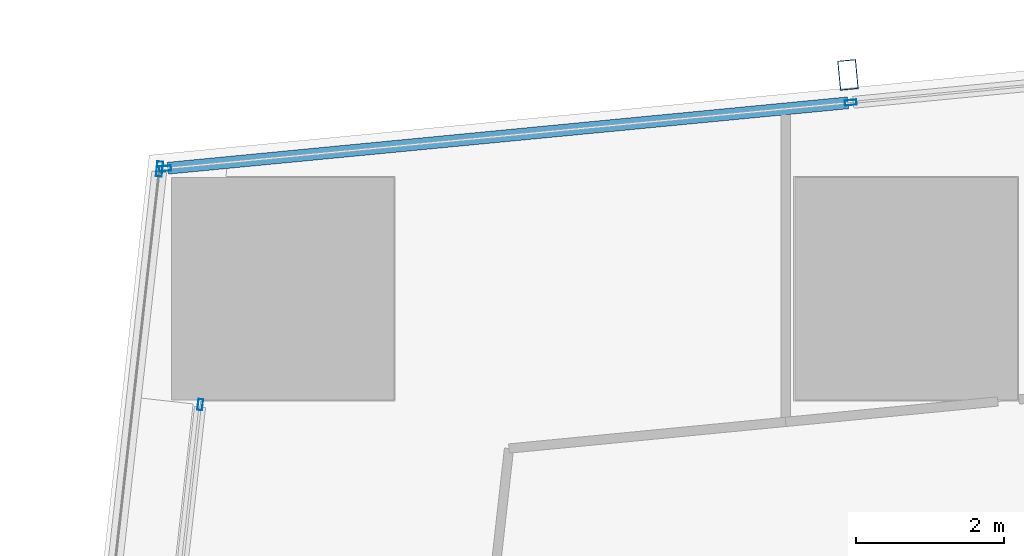
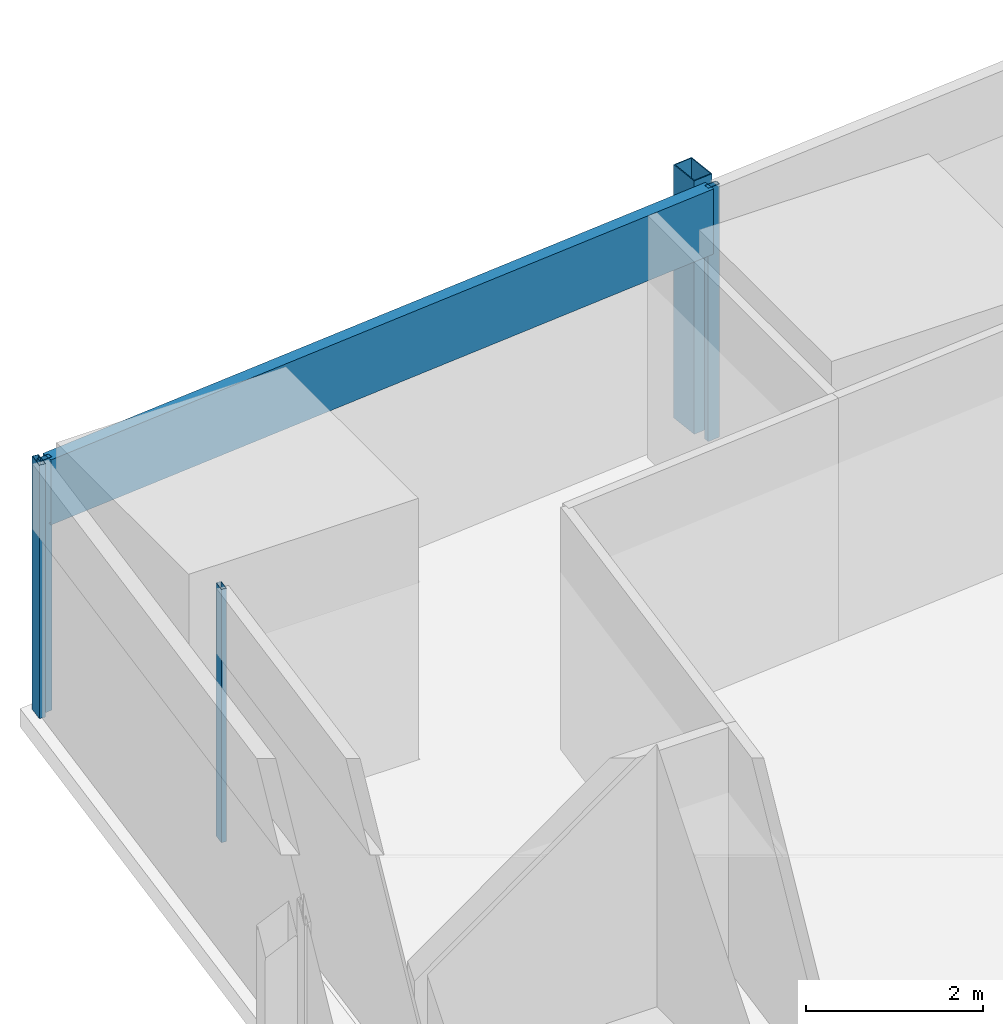
# One storey, part 16 of 45: 6 members, 3 elements without a shape of their own.
"""IFC4 building model written with IfcOpenShell, lengths in metres."""

import ifcopenshell
import ifcopenshell.guid

model = None  # the IFC model being written
_history = None  # IfcOwnerHistory: only IFC2X3 demands one
_inside = {}  # id of a spatial element -> (the spatial element, [elements in it])
_under = {}  # id of a project, library or spatial element -> (it, [spatial elements below it])
_declared = {}  # id of a project -> (the project, [libraries it declares])
_typed = {}  # id of a type object -> (the type object, [elements of that type])
_made_of = {}  # id of a material, layer set ... -> (it, [elements and type objects made of it])


def new_model(schema):
    """Start an empty IFC model of exactly this schema.

    Asked for "IFC4X3", IfcOpenShell would pick the latest addendum, in which some entities
    have other attributes; the version numbers below select the first issue.
    IFC2X3 requires an IfcOwnerHistory on every rooted entity: one is made here for all.
    """
    global model, _history
    if schema == "IFC4X3":
        model = ifcopenshell.file(schema_version=(4, 3, 0, 0))
    else:
        model = ifcopenshell.file(schema=schema)
    _inside.clear()
    _under.clear()
    _declared.clear()
    _typed.clear()
    _made_of.clear()
    _history = None
    if model.schema == "IFC2X3":
        org = make("IfcOrganization", Name="unknown")
        user = make(
            "IfcPersonAndOrganization",
            ThePerson=make("IfcPerson", FamilyName="unknown"),
            TheOrganization=org,
        )
        app = make(
            "IfcApplication",
            ApplicationDeveloper=org,
            Version="unknown",
            ApplicationFullName="unknown",
            ApplicationIdentifier="unknown",
        )
        _history = make(
            "IfcOwnerHistory",
            OwningUser=user,
            OwningApplication=app,
            ChangeAction="ADDED",
            CreationDate=0,
        )
    return model


def make(cls, **values):
    """One entity of the class cls with the attributes given. An attribute that is None is left unset."""
    return model.create_entity(
        cls, **{name: value for name, value in values.items() if value is not None}
    )


def rooted(cls, **values):
    """An entity with a GlobalId (a new one), such as an element, a storey or a relation."""
    return make(cls, GlobalId=ifcopenshell.guid.new(), OwnerHistory=_history, **values)


def si_unit(unit_type, name, prefix=None):
    """IfcSIUnit, for example si_unit("LENGTHUNIT", "METRE", prefix="MILLI")."""
    return make("IfcSIUnit", UnitType=unit_type, Prefix=prefix, Name=name)


def assignment(units):
    """IfcUnitAssignment: the units of a project."""
    return None if units is None else make("IfcUnitAssignment", Units=units)


def point(xyz):
    """IfcCartesianPoint."""
    return None if xyz is None else make("IfcCartesianPoint", Coordinates=xyz)


def direction(xyz):
    """IfcDirection."""
    return None if xyz is None else make("IfcDirection", DirectionRatios=xyz)


def frame(location, z_axis=None, x_axis=None):
    """IfcAxis2Placement3D, a coordinate frame: its origin and axes. An axis left out is left unset."""
    return make(
        "IfcAxis2Placement3D",
        Location=point(location),
        Axis=direction(z_axis),
        RefDirection=direction(x_axis),
    )


def frame_2d(location, x_axis=None):
    """IfcAxis2Placement2D, a coordinate frame in the plane: its origin and x axis."""
    return make(
        "IfcAxis2Placement2D", Location=point(location), RefDirection=direction(x_axis)
    )


def origin():
    """The frame at (0, 0, 0) with its axes left unset."""
    return frame((0.0, 0.0, 0.0))


def origin_2d():
    """The frame at (0, 0) in the plane with its x axis left unset."""
    return frame_2d((0.0, 0.0))


def place(relative_to, where):
    """IfcLocalPlacement: puts the frame where relative to a parent placement (None: the world)."""
    return make(
        "IfcLocalPlacement", PlacementRelTo=relative_to, RelativePlacement=where
    )


def context(
    kind, dimensions, precision=None, world=None, true_north=None, identifier=None
):
    """IfcGeometricRepresentationContext, for example the 3D "Model" context."""
    return make(
        "IfcGeometricRepresentationContext",
        ContextIdentifier=identifier,
        ContextType=kind,
        CoordinateSpaceDimension=dimensions,
        Precision=precision,
        WorldCoordinateSystem=world,
        TrueNorth=true_north,
    )


def subcontext(parent, identifier, kind, view, scale=None):
    """IfcGeometricRepresentationSubContext, for example "Body" below "Model"."""
    return make(
        "IfcGeometricRepresentationSubContext",
        ContextIdentifier=identifier,
        ContextType=kind,
        ParentContext=parent,
        TargetScale=scale,
        TargetView=view,
    )


def project(units=None, contexts=None):
    """IfcProject with its units and contexts."""
    return rooted(
        "IfcProject",
        Name="project",
        RepresentationContexts=contexts,
        UnitsInContext=assignment(units),
    )


def spatial(cls, under=None, at=None, **own):
    """A site, building, storey or space (cls), placed at a placement, below another one or the project."""
    s = rooted(cls, ObjectPlacement=at, **own)
    if under is not None:
        _under.setdefault(under.id(), (under, []))[1].append(s)
    return s


def profile(cls, at=None, kind="AREA", **sizes):
    """A parametric profile (cls). Its sizes go by their IFC names, for example OverallWidth=200.0."""
    return make(cls, ProfileType=kind, Position=at, **sizes)


def hollow_rectangle(**sizes):
    """IfcRectangleHollowProfileDef."""
    return profile("IfcRectangleHollowProfileDef", **sizes)


def extrude(swept, where, along, depth):
    """IfcExtrudedAreaSolid: the profile swept, set in the frame where, extruded along a direction by depth."""
    return make(
        "IfcExtrudedAreaSolid",
        SweptArea=swept,
        Position=where,
        ExtrudedDirection=direction(along),
        Depth=depth,
    )


def shape(context_of_items, identifier, shape_type, items):
    """IfcShapeRepresentation: the items that make up one representation, for example the "Body"."""
    return make(
        "IfcShapeRepresentation",
        ContextOfItems=context_of_items,
        RepresentationIdentifier=identifier,
        RepresentationType=shape_type,
        Items=items,
    )


def material(Name=None, Category=None):
    """IfcMaterial."""
    return make("IfcMaterial", Name=Name, Category=Category)


def material_profile(
    of_material, cross_section, Name=None, Category=None, Priority=None
):
    """IfcMaterialProfile: a cross section and its material."""
    return make(
        "IfcMaterialProfile",
        Name=Name,
        Material=of_material,
        Profile=cross_section,
        Priority=Priority,
        Category=Category,
    )


def profile_set(profiles, Name=None, composite=None):
    """IfcMaterialProfileSet."""
    return make(
        "IfcMaterialProfileSet",
        Name=Name,
        MaterialProfiles=profiles,
        CompositeProfile=composite,
    )


def made_of(thing, what):
    """Note that an element or type object is made of a material, layer set ...; save() writes the relation."""
    if what is not None:
        _made_of.setdefault(what.id(), (what, []))[1].append(thing)
    return thing


def type_object(cls, material=None, **own):
    """A type object (cls), such as IfcWallType, which elements share."""
    return made_of(rooted(cls, **own), material)


def element(
    cls,
    number,
    at=None,
    inside=None,
    cuts=None,
    type_object=None,
    material=None,
    context=None,
    identifier="Body",
    shape_type=None,
    held_by="IfcProductDefinitionShape",
    body=None,
    shapes=None,
    **own,
):
    """One element of the class cls, such as IfcWall. Its Tag is "e" and its number.

    at: its placement. inside: the storey or other place that contains it. cuts: it is an
    opening in that element (IfcRelVoidsElement). A single representation is given by context,
    identifier, shape_type and body (its items); several are given by shapes. held_by: the class
    of the entity that holds the representations. save() writes the other relations.
    """
    e = rooted(cls, Tag="e%d" % number, ObjectPlacement=at, **own)
    if body is not None:
        shapes = [shape(context, identifier, shape_type, body)]
    if shapes is not None:
        e.Representation = make(held_by, Representations=shapes)
    if inside is not None:
        _inside.setdefault(inside.id(), (inside, []))[1].append(e)
    if cuts is not None:
        rooted(
            "IfcRelVoidsElement", RelatingBuildingElement=cuts, RelatedOpeningElement=e
        )
    if type_object is not None:
        _typed.setdefault(type_object.id(), (type_object, []))[1].append(e)
    return made_of(e, material)


def aggregate(whole, parts):
    """IfcRelAggregates: a whole, such as a stair, and the parts it consists of."""
    return rooted("IfcRelAggregates", RelatingObject=whole, RelatedObjects=parts)


def save(model, path):
    """Write the relations noted so far, then the file.

    IfcRelAggregates (storeys below a building ...), IfcRelContainedInSpatialStructure (elements
    in a storey), IfcRelDefinesByType, IfcRelAssociatesMaterial and IfcRelDeclares: one each for
    every whole, place, type object, material and project.
    """
    for whole, parts in _under.values():
        aggregate(whole, parts)
    for where, things in _inside.values():
        rooted(
            "IfcRelContainedInSpatialStructure",
            RelatedElements=things,
            RelatingStructure=where,
        )
    for kind, things in _typed.values():
        rooted("IfcRelDefinesByType", RelatedObjects=things, RelatingType=kind)
    for what, things in _made_of.values():
        rooted("IfcRelAssociatesMaterial", RelatedObjects=things, RelatingMaterial=what)
    for by, libraries in _declared.values():
        rooted("IfcRelDeclares", RelatingContext=by, RelatedDefinitions=libraries)
    model.write(path)


model = new_model("IFC4")

# Units and contexts
model_context = context("Model", 3, precision=1e-05, world=origin(), true_north=direction((0.0, 1.0)))
body_context = subcontext(model_context, "Body", "Model", "MODEL_VIEW")
ifc_project = project(units=[si_unit("LENGTHUNIT", "METRE"), si_unit("AREAUNIT", "SQUARE_METRE"), si_unit("VOLUMEUNIT", "CUBIC_METRE"), si_unit("PLANEANGLEUNIT", "RADIAN"), si_unit("MASSUNIT", "GRAM", prefix="KILO")], contexts=[model_context])

# Site, building, storey
site_placement = place(None, origin())
site = spatial("IfcSite", under=ifc_project, at=site_placement, CompositionType="ELEMENT")
building_placement = place(site_placement, origin())
building = spatial("IfcBuilding", under=site, at=building_placement, Name="Rekha Terrace Tower", CompositionType="ELEMENT")
storey_placement = place(building_placement, frame((0.0, 0.0, 77.89990234375)))
storey = spatial("IfcBuildingStorey", under=building, at=storey_placement, Name="L19", CompositionType="ELEMENT", Elevation=77.89990234375)

# Curtain wall, member
ifc_material_1 = material(Name="Aluminium framing", Category="aluminium")
curtain_wall_type_1 = type_object("IfcCurtainWallType", Name="CW3 north unitised glazing", PredefinedType="USERDEFINED", material=ifc_material_1)
curtain_wall_1_placement = place(storey_placement, origin())
curtain_wall_1 = element("IfcCurtainWall", 1, at=curtain_wall_1_placement, inside=storey, type_object=curtain_wall_type_1, Name="CW3 unitised curtain wall", ObjectType="UNITISED CURTAIN WALL", PredefinedType="USERDEFINED")
ifc_material_2 = material(Name="Steel S355 with fluorocarbon finish", Category="steel")
ifc_material_profile_1 = material_profile(ifc_material_2, hollow_rectangle(XDim=0.25, YDim=0.39990234375, WallThickness=0.012451171875, at=origin_2d()), Name="RHS400x250x12.5")
ifc_profile_set_1 = profile_set([ifc_material_profile_1], Name="Steel S355 with fluorocarbon finish")
member_type_1 = type_object("IfcMemberType", Name="BL1 facade blade RHS 400 x 250", PredefinedType="USERDEFINED", material=ifc_profile_set_1)
member_1_placement = place(storey_placement, frame((16.01708984375, 61.681396484375, 0.0), z_axis=(0.0, 0.0, 1.0), x_axis=(-0.995409070123, -0.095711980009, 0.0)))
member_1 = element("IfcMember", 2, at=member_1_placement, type_object=member_type_1, Name="Facade blade", ObjectType="FACADE BLADE", PredefinedType="USERDEFINED", context=body_context, shape_type="SweptSolid", body=[
    extrude(hollow_rectangle(XDim=0.25, YDim=0.39990234375, WallThickness=0.012451171875, at=origin_2d()), origin(), (0.0, 0.0, 1.0), 3.5),
])

curtain_wall_type_2 = type_object("IfcCurtainWallType", Name="CW1 double skin inner glazing", PredefinedType="USERDEFINED", material=ifc_material_1)
curtain_wall_2_placement = place(storey_placement, origin())
curtain_wall_2 = element("IfcCurtainWall", 3, at=curtain_wall_2_placement, inside=storey, type_object=curtain_wall_type_2, Name="CW1 double skin inner glazing", ObjectType="DOUBLE SKIN INNER GLAZING", PredefinedType="USERDEFINED")
ifc_material_3 = material(Name="Aluminium mullion section", Category="aluminium")
ifc_material_profile_2 = material_profile(ifc_material_3, hollow_rectangle(XDim=0.06494140625, YDim=0.14990234375, WallThickness=0.00390625, at=origin_2d()), Name="AL RHS 65x150")
ifc_profile_set_2 = profile_set([ifc_material_profile_2], Name="Aluminium mullion section")
member_type_2 = type_object("IfcMemberType", Name="CW1 mullion RHS 65 x 150", PredefinedType="MULLION", material=ifc_profile_set_2)
member_2_placement = place(storey_placement, frame((7.28857421875, 57.2373046875, 0.0), z_axis=(0.0, 0.0, 1.0), x_axis=(0.993738615524, -0.111729870748, 0.0)))
member_2 = element("IfcMember", 4, at=member_2_placement, type_object=member_type_2, Name="CW1 mullion 1", PredefinedType="MULLION", context=body_context, shape_type="SweptSolid", body=[
    extrude(hollow_rectangle(XDim=0.06494140625, YDim=0.14990234375, WallThickness=0.00390625, at=origin_2d()), origin(), (0.0, 0.0, 1.0), 3.5),
])
aggregate(curtain_wall_2, [member_2])

curtain_wall_type_3 = type_object("IfcCurtainWallType", Name="CW2 double skin outer glazing", PredefinedType="USERDEFINED", material=ifc_material_1)
curtain_wall_3_placement = place(storey_placement, origin())
curtain_wall_3 = element("IfcCurtainWall", 5, at=curtain_wall_3_placement, inside=storey, type_object=curtain_wall_type_3, Name="CW2 double skin outer glazing", ObjectType="DOUBLE SKIN OUTER GLAZING", PredefinedType="USERDEFINED")
ifc_material_profile_3 = material_profile(ifc_material_3, hollow_rectangle(XDim=0.080078125, YDim=0.199951171875, WallThickness=0.00390625, at=origin_2d()), Name="AL RHS 80x200")
ifc_profile_set_3 = profile_set([ifc_material_profile_3], Name="Aluminium mullion section")
member_type_3 = type_object("IfcMemberType", Name="CW2 mullion RHS 80 x 200", PredefinedType="MULLION", material=ifc_profile_set_3)
member_3_placement = place(storey_placement, frame((6.739990234375, 60.413330078125, 0.0), z_axis=(0.0, 0.0, 1.0), x_axis=(0.99373861552, -0.111729870782, 0.0)))
member_3 = element("IfcMember", 6, at=member_3_placement, type_object=member_type_3, Name="CW2 mullion 1", PredefinedType="MULLION", context=body_context, shape_type="SweptSolid", body=[
    extrude(hollow_rectangle(XDim=0.080078125, YDim=0.199951171875, WallThickness=0.00390625, at=origin_2d()), origin(), (0.0, 0.0, 1.0), 3.5),
])
aggregate(curtain_wall_3, [member_3])

# Member
ifc_material_profile_4 = material_profile(ifc_material_3, hollow_rectangle(XDim=0.070068359375, YDim=0.159912109375, WallThickness=0.00390625, at=origin_2d()), Name="AL RHS 70x160")
ifc_profile_set_4 = profile_set([ifc_material_profile_4], Name="Aluminium mullion section")
member_type_4 = type_object("IfcMemberType", Name="CW3 mullion RHS 70 x 160", PredefinedType="MULLION", material=ifc_profile_set_4)
member_4_placement = place(storey_placement, frame((16.052978515625, 61.30810546875, 0.0), z_axis=(0.0, 0.0, 1.0), x_axis=(0.095712406625, -0.995409029102, 0.0)))
member_4 = element("IfcMember", 7, at=member_4_placement, type_object=member_type_4, Name="CW3 mullion 2", PredefinedType="MULLION", context=body_context, shape_type="SweptSolid", body=[
    extrude(hollow_rectangle(XDim=0.070068359375, YDim=0.159912109375, WallThickness=0.00390625, at=origin_2d()), origin(), (0.0, 0.0, 1.0), 3.5),
])

member_5_placement = place(storey_placement, frame((6.8154296875, 60.419677734375, 0.0), z_axis=(0.0, 0.0, 1.0), x_axis=(0.095712406625, -0.995409029102, 0.0)))
member_5 = element("IfcMember", 8, at=member_5_placement, type_object=member_type_4, Name="CW3 mullion 3", PredefinedType="MULLION", context=body_context, shape_type="SweptSolid", body=[
    extrude(hollow_rectangle(XDim=0.070068359375, YDim=0.159912109375, WallThickness=0.00390625, at=origin_2d()), origin(), (0.0, 0.0, 1.0), 3.5),
])

ifc_material_4 = material(Name="Insulated aluminium spandrel box", Category="aluminium")
ifc_material_profile_5 = material_profile(ifc_material_4, hollow_rectangle(XDim=0.159912109375, YDim=0.89990234375, WallThickness=0.0029296875, at=origin_2d()), Name="AL SPANDREL BOX 160x900")
ifc_profile_set_5 = profile_set([ifc_material_profile_5], Name="Insulated aluminium spandrel box")
member_type_5 = type_object("IfcMemberType", Name="CW3 spandrel transom 160 x 900", PredefinedType="USERDEFINED", material=ifc_profile_set_5)
member_6_placement = place(storey_placement, frame((16.018310546875, 61.3046875, 3.050048828125), z_axis=(-0.995408446287, -0.095718467713, 0.0), x_axis=(0.095718467713, -0.995408446287, 0.0)))
member_6 = element("IfcMember", 9, at=member_6_placement, type_object=member_type_5, Name="CW3 spandrel transom 2", ObjectType="TRANSOM", PredefinedType="USERDEFINED", context=body_context, shape_type="SweptSolid", body=[
    extrude(hollow_rectangle(XDim=0.159912109375, YDim=0.89990234375, WallThickness=0.0029296875, at=origin_2d()), origin(), (0.0, 0.0, 1.0), 9.210205078125),
])

aggregate(curtain_wall_1, [member_4, member_5, member_6, member_1])

save(model, "model.ifc")
